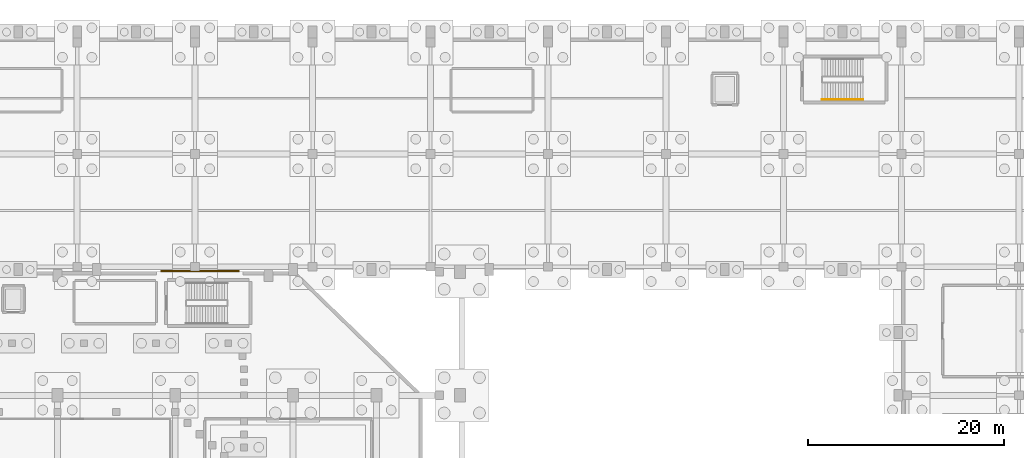
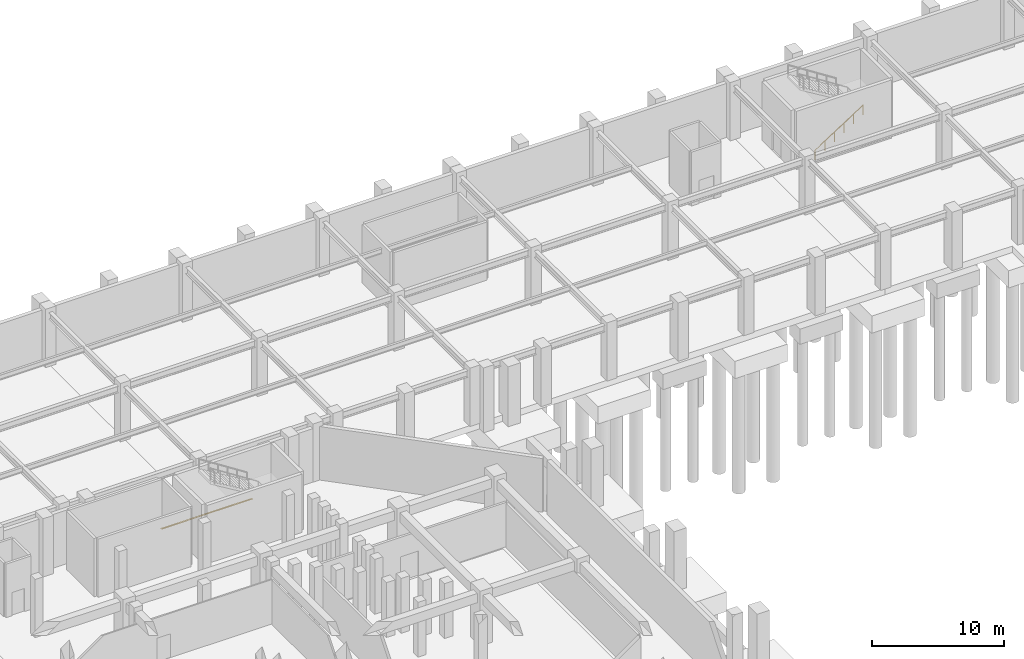
# One storey, part 24 of 27: 1 covering, 1 railing.
"""IFC4 building model written with IfcOpenShell, lengths in metres."""

from ifc_helpers import new_model, si_unit, derived_unit, direction, frame, origin, origin_2d, place, context, subcontext, project, spatial, polyline, circle, outline, extrude, material, layer, layer_set, type_object, element, save


model = new_model("IFC4")

# Units and contexts
model_context = context("Model", 3, precision=1e-05, world=origin(), true_north=direction((0.0, 1.0)))
body_context = subcontext(model_context, "Body", "Model", "MODEL_VIEW")
ifc_project = project(units=[si_unit("LENGTHUNIT", "METRE"), si_unit("AREAUNIT", "SQUARE_METRE"), si_unit("VOLUMEUNIT", "CUBIC_METRE"), si_unit("PLANEANGLEUNIT", "RADIAN"), si_unit("MASSUNIT", "GRAM", prefix="KILO"), derived_unit("THERMALTRANSMITTANCEUNIT", [(si_unit("MASSUNIT", "GRAM", prefix="KILO"), 1), (si_unit("TIMEUNIT", "SECOND"), -3), (si_unit("THERMODYNAMICTEMPERATUREUNIT", "KELVIN"), -1)])], contexts=[model_context])

# Site, building, storey
site_placement = place(None, origin())
site = spatial("IfcSite", under=ifc_project, at=site_placement, CompositionType="ELEMENT")
building_placement = place(site_placement, origin())
building = spatial("IfcBuilding", under=site, at=building_placement, Name="Valcora Ridge Arena", CompositionType="ELEMENT")
storey_placement = place(building_placement, frame((0.0, 0.0, -5.39990234375)))
storey = spatial("IfcBuildingStorey", under=building, at=storey_placement, Name="B1", CompositionType="ELEMENT", Elevation=-5.39990234375)

# Covering
ifc_material_1 = material(Name="Steel ASTM A572 Grade 50", Category="steel")
ifc_layer = layer(ifc_material_1, 0.02001953125, Name="Steel ASTM A572 Grade 50")
ifc_layer_set = layer_set([ifc_layer], Name="Steel ASTM A572 Grade 50")
covering_type = type_object("IfcCoveringType", Name="TY-COVERING-COV-SJ-150", PredefinedType="FLOORING", material=ifc_layer_set)
covering_placement = place(storey_placement, frame((0.0, 0.0, -0.02001953125)))
element("IfcCovering", 1, at=covering_placement, inside=storey, type_object=covering_type, Name="COV-SJ-150 COV-SJ-0018", PredefinedType="FLOORING", context=body_context, shape_type="SweptSolid", body=[
    extrude(outline(polyline([(80.5, 108.199951171875), (88.5, 108.199951171875), (88.5, 108.35009765625), (80.5, 108.35009765625), (80.5, 108.199951171875)])), origin(), (0.0, 0.0, 1.0), 0.02001953125),
])

# Railing
ifc_material_2 = material(Name="Galvanized painted steel ASTM A500 Grade B", Category="steel")
railing_type = type_object("IfcRailingType", Name="TY-RAILING-HR-STAIR-900", PredefinedType="HANDRAIL", material=ifc_material_2)
railing_placement = place(storey_placement, frame((147.909912109375, 125.739990234375, 0.0)))
element("IfcRailing", 2, at=railing_placement, inside=storey, type_object=railing_type, Name="HR-STAIR-900 RAL-SH-0081", PredefinedType="HANDRAIL", context=body_context, shape_type="SweptSolid", body=[
    extrude(circle(Radius=0.02392578125, at=origin_2d()), frame((0.0, 0.0, 0.8759765625), z_axis=(0.841194361566, 0.0, 0.540732878665), x_axis=(0.0, 1.0, 0.0)), (0.0, 0.0, 1.0), 4.9931640625),
    extrude(circle(Radius=0.02099609375, at=origin_2d()), origin(), (0.0, 0.0, 1.0), 0.851806640625),
    extrude(circle(Radius=0.02099609375, at=origin_2d()), frame((0.840087890625, 0.0, 0.5400390625)), (0.0, 0.0, 1.0), 0.851806640625),
    extrude(circle(Radius=0.02099609375, at=origin_2d()), frame((1.68017578125, 0.0, 1.080078125)), (0.0, 0.0, 1.0), 0.851806640625),
    extrude(circle(Radius=0.02099609375, at=origin_2d()), frame((2.52001953125, 0.0, 1.619873046875)), (0.0, 0.0, 1.0), 0.851806640625),
    extrude(circle(Radius=0.02099609375, at=origin_2d()), frame((3.360107421875, 0.0, 2.159912109375)), (0.0, 0.0, 1.0), 0.851806640625),
    extrude(circle(Radius=0.02099609375, at=origin_2d()), frame((4.2001953125, 0.0, 2.699951171875)), (0.0, 0.0, 1.0), 0.851806640625),
])

save(model, "model.ifc")
